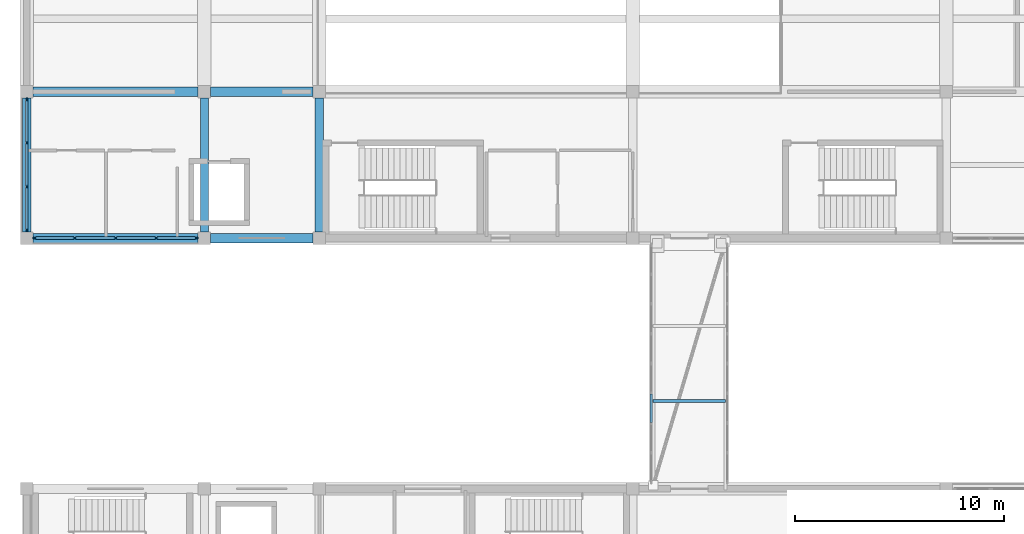
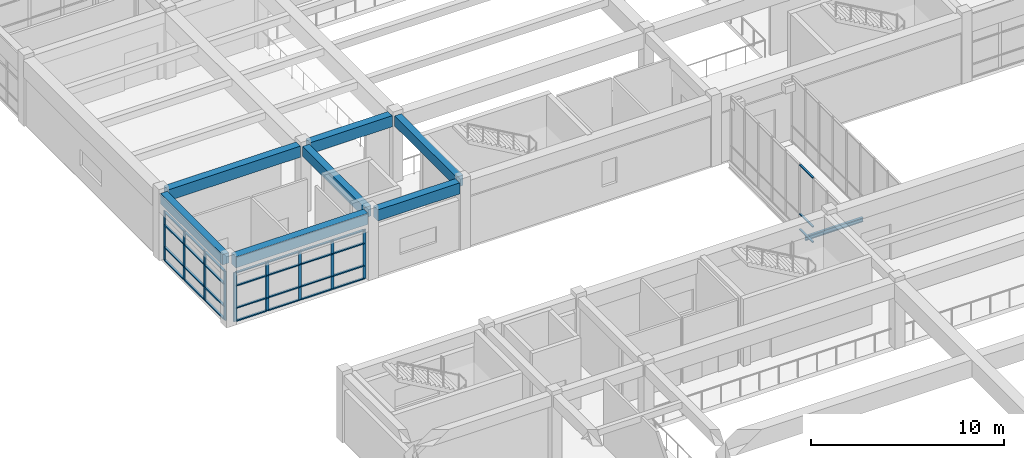
# One storey, part 11 of 72: 40 members, 8 beams, 3 elements without a shape of their own.
"""IFC4 building model written with IfcOpenShell, lengths in metres."""

from ifc_helpers import new_model, si_unit, direction, frame, origin, origin_2d, place, context, subcontext, project, spatial, rectangle, i_section, extrude, material, layer, layer_set, material_profile, profile_set, type_object, element, aggregate, save


model = new_model("IFC4")

# Units and contexts
model_context = context("Model", 3, precision=1e-05, world=origin(), true_north=direction((0.0, 1.0)))
body_context = subcontext(model_context, "Body", "Model", "MODEL_VIEW")
ifc_project = project(units=[si_unit("LENGTHUNIT", "METRE"), si_unit("AREAUNIT", "SQUARE_METRE"), si_unit("VOLUMEUNIT", "CUBIC_METRE"), si_unit("PLANEANGLEUNIT", "RADIAN"), si_unit("MASSUNIT", "GRAM", prefix="KILO")], contexts=[model_context])

# Site, building, storey
site_placement = place(None, origin())
site = spatial("IfcSite", under=ifc_project, at=site_placement, CompositionType="ELEMENT")
building_placement = place(site_placement, origin())
building = spatial("IfcBuilding", under=site, at=building_placement, Name="Naurynzar Civic Courthouse", CompositionType="ELEMENT")
storey_placement = place(building_placement, frame((0.0, 0.0, 9.89990234375)))
storey = spatial("IfcBuildingStorey", under=building, at=storey_placement, Name="L03", CompositionType="ELEMENT", Elevation=9.89990234375)

# Beams
ifc_material_1 = material(Name="Concrete C40/50", Category="concrete")
ifc_material_profile_1 = material_profile(ifc_material_1, rectangle(XDim=0.39990234375, YDim=0.64990234375, at=origin_2d()), Name="RCB 400x650")
ifc_profile_set_1 = profile_set([ifc_material_profile_1], Name="Concrete C40/50")
beam_type_1 = type_object("IfcBeamType", Name="BM-RC-400x650", PredefinedType="BEAM", material=ifc_profile_set_1)
for number, where, z_axis, x_axis, name in (
    (1, (6.0, 44.300048828125, 3.905029296875), (0.0, 1.0, 0.0), (-1.0, 0.0, 0.0), "V1 girder Y-185 L03"),
    (2, (14.5, 44.300048828125, 3.905029296875), (0.0, 1.0, 0.0), (-1.0, 0.0, 0.0), "V1 girder Y-188 L03"),
    (3, (20.0, 44.300048828125, 3.905029296875), (0.0, 1.0, 0.0), (-1.0, 0.0, 0.0), "V1 girder Y-191 L03"),
):
    element("IfcBeam", number, at=place(storey_placement, frame(where, z_axis=z_axis, x_axis=x_axis)), inside=storey, type_object=beam_type_1, Name=name, PredefinedType="BEAM", context=body_context, shape_type="SweptSolid", body=[
        extrude(rectangle(XDim=0.39990234375, YDim=0.64990234375, at=origin_2d()), origin(), (0.0, 0.0, 1.0), 6.39990234375),
    ])
ifc_material_2 = material(Name="Concrete C40/50", Category="concrete")
ifc_material_profile_2 = material_profile(ifc_material_2, rectangle(XDim=0.449951171875, YDim=0.699951171875, at=origin_2d()), Name="RCB 450x700")
ifc_profile_set_2 = profile_set([ifc_material_profile_2], Name="Concrete C40/50")
beam_type_2 = type_object("IfcBeamType", Name="BM-RC-450x700", PredefinedType="BEAM", material=ifc_profile_set_2)
beam_1_placement = place(storey_placement, frame((6.300048828125, 44.0, 3.880126953125), z_axis=(1.0, 0.0, 0.0), x_axis=(0.0, 1.0, 0.0)))
element("IfcBeam", 4, at=beam_1_placement, inside=storey, type_object=beam_type_2, Name="V1 beam X-165 L03", PredefinedType="BEAM", context=body_context, shape_type="SweptSolid", body=[
    extrude(rectangle(XDim=0.449951171875, YDim=0.699951171875, at=origin_2d()), origin(), (0.0, 0.0, 1.0), 7.89990234375),
])
beam_2_placement = place(storey_placement, frame((14.800048828125, 44.0, 3.880126953125), z_axis=(1.0, 0.0, 0.0), x_axis=(0.0, 1.0, 0.0)))
element("IfcBeam", 5, at=beam_2_placement, inside=storey, type_object=beam_type_2, Name="V1 beam X-166 L03", PredefinedType="BEAM", context=body_context, shape_type="SweptSolid", body=[
    extrude(rectangle(XDim=0.449951171875, YDim=0.699951171875, at=origin_2d()), origin(), (0.0, 0.0, 1.0), 4.89990234375),
])
beam_3_placement = place(storey_placement, frame((6.300048828125, 51.0, 3.880126953125), z_axis=(1.0, 0.0, 0.0), x_axis=(0.0, 1.0, 0.0)))
element("IfcBeam", 6, at=beam_3_placement, inside=storey, type_object=beam_type_2, Name="V1 beam X-170 L03", PredefinedType="BEAM", context=body_context, shape_type="SweptSolid", body=[
    extrude(rectangle(XDim=0.449951171875, YDim=0.699951171875, at=origin_2d()), origin(), (0.0, 0.0, 1.0), 7.89990234375),
])
beam_4_placement = place(storey_placement, frame((14.800048828125, 51.0, 3.880126953125), z_axis=(1.0, 0.0, 0.0), x_axis=(0.0, 1.0, 0.0)))
element("IfcBeam", 7, at=beam_4_placement, inside=storey, type_object=beam_type_2, Name="V1 beam X-171 L03", PredefinedType="BEAM", context=body_context, shape_type="SweptSolid", body=[
    extrude(rectangle(XDim=0.449951171875, YDim=0.699951171875, at=origin_2d()), origin(), (0.0, 0.0, 1.0), 4.89990234375),
])
ifc_material_3 = material(Name="Steel S355", Category="steel")
ifc_material_profile_3 = material_profile(ifc_material_3, i_section(OverallWidth=0.135009765625, OverallDepth=0.27001953125, WebThickness=0.006591796875, FlangeThickness=0.01025390625, FilletRadius=0.014892578125, at=origin_2d()), Name="IPE 270")
ifc_profile_set_3 = profile_set([ifc_material_profile_3], Name="Steel S355")
beam_type_3 = type_object("IfcBeamType", Name="BM-STL-IPE270", PredefinedType="BEAM", material=ifc_profile_set_3)
beam_5_placement = place(storey_placement, frame((35.969970703125, 36.2060546875, -0.375), z_axis=(1.0, 0.0, 0.0), x_axis=(0.0, 1.0, 0.0)))
element("IfcBeam", 8, at=beam_5_placement, inside=storey, type_object=beam_type_3, Name="BR-W1 deck cross-beam L03.1", PredefinedType="BEAM", context=body_context, shape_type="SweptSolid", body=[
    extrude(i_section(OverallWidth=0.135009765625, OverallDepth=0.27001953125, WebThickness=0.006591796875, FlangeThickness=0.01025390625, FilletRadius=0.014892578125, at=origin_2d()), origin(), (0.0, 0.0, 1.0), 3.4599609375),
])

# Curtain wall, members
ifc_material_4 = material(Name="Aluminium 6063-T6", Category="aluminium")
ifc_layer_1 = layer(ifc_material_4, 0.159912109375)
ifc_layer_set_1 = layer_set([ifc_layer_1], Name="CW-UNIT-1800")
curtain_wall_type_1 = type_object("IfcCurtainWallType", Name="CW-UNIT-1800", PredefinedType="NOTDEFINED", material=ifc_layer_set_1)
curtain_wall_1_placement = place(storey_placement, origin())
curtain_wall_1 = element("IfcCurtainWall", 9, at=curtain_wall_1_placement, inside=storey, type_object=curtain_wall_type_1, Name="V1 unitised curtain wall 7 L03", PredefinedType="NOTDEFINED")
ifc_material_5 = material(Name="Aluminium 6063-T6", Category="aluminium")
ifc_material_profile_4 = material_profile(ifc_material_5, rectangle(XDim=0.070068359375, YDim=0.179931640625, at=origin_2d()), Name="ALU MULLION 70x180")
ifc_profile_set_4 = profile_set([ifc_material_profile_4], Name="Aluminium 6063-T6")
member_type_1 = type_object("IfcMemberType", Name="CWM-70x180", PredefinedType="MULLION", material=ifc_profile_set_4)
member_1_placement = place(storey_placement, frame((6.0, 44.385009765625, 0.0), z_axis=(0.0, 0.0, 1.0), x_axis=(-1.0, 0.0, 0.0)))
member_1 = element("IfcMember", 10, at=member_1_placement, type_object=member_type_1, Name="CW-02 mullion 1", PredefinedType="MULLION", context=body_context, shape_type="SweptSolid", body=[
    extrude(rectangle(XDim=0.070068359375, YDim=0.179931640625, at=origin_2d()), origin(), (0.0, 0.0, 1.0), 3.110107421875),
])
member_2_placement = place(storey_placement, frame((6.0, 46.449951171875, 0.0), z_axis=(0.0, 0.0, 1.0), x_axis=(-1.0, 0.0, 0.0)))
member_2 = element("IfcMember", 11, at=member_2_placement, type_object=member_type_1, Name="CW-02 mullion 2", PredefinedType="MULLION", context=body_context, shape_type="SweptSolid", body=[
    extrude(rectangle(XDim=0.070068359375, YDim=0.179931640625, at=origin_2d()), origin(), (0.0, 0.0, 1.0), 3.110107421875),
])
member_3_placement = place(storey_placement, frame((6.0, 48.550048828125, 0.0), z_axis=(0.0, 0.0, 1.0), x_axis=(-1.0, 0.0, 0.0)))
member_3 = element("IfcMember", 12, at=member_3_placement, type_object=member_type_1, Name="CW-02 mullion 3", PredefinedType="MULLION", context=body_context, shape_type="SweptSolid", body=[
    extrude(rectangle(XDim=0.070068359375, YDim=0.179931640625, at=origin_2d()), origin(), (0.0, 0.0, 1.0), 3.110107421875),
])
member_4_placement = place(storey_placement, frame((6.0, 50.614990234375, 0.0), z_axis=(0.0, 0.0, 1.0), x_axis=(-1.0, 0.0, 0.0)))
member_4 = element("IfcMember", 13, at=member_4_placement, type_object=member_type_1, Name="CW-02 mullion 4", PredefinedType="MULLION", context=body_context, shape_type="SweptSolid", body=[
    extrude(rectangle(XDim=0.070068359375, YDim=0.179931640625, at=origin_2d()), origin(), (0.0, 0.0, 1.0), 3.110107421875),
])

curtain_wall_2_placement = place(storey_placement, origin())
curtain_wall_2 = element("IfcCurtainWall", 14, at=curtain_wall_2_placement, inside=storey, type_object=curtain_wall_type_1, Name="V1 unitised curtain wall 12 L03", PredefinedType="NOTDEFINED")
member_5_placement = place(storey_placement, frame((14.114990234375, 44.0, 0.0), z_axis=(0.0, 0.0, 1.0), x_axis=(0.0, -1.0, 0.0)))
member_5 = element("IfcMember", 15, at=member_5_placement, type_object=member_type_1, Name="CW-02 mullion 1", PredefinedType="MULLION", context=body_context, shape_type="SweptSolid", body=[
    extrude(rectangle(XDim=0.070068359375, YDim=0.179931640625, at=origin_2d()), origin(), (0.0, 0.0, 1.0), 3.110107421875),
])
member_6_placement = place(storey_placement, frame((12.199951171875, 44.0, 0.0), z_axis=(0.0, 0.0, 1.0), x_axis=(0.0, -1.0, 0.0)))
member_6 = element("IfcMember", 16, at=member_6_placement, type_object=member_type_1, Name="CW-02 mullion 2", PredefinedType="MULLION", context=body_context, shape_type="SweptSolid", body=[
    extrude(rectangle(XDim=0.070068359375, YDim=0.179931640625, at=origin_2d()), origin(), (0.0, 0.0, 1.0), 3.110107421875),
])
member_7_placement = place(storey_placement, frame((10.25, 44.0, 0.0), z_axis=(0.0, 0.0, 1.0), x_axis=(0.0, -1.0, 0.0)))
member_7 = element("IfcMember", 17, at=member_7_placement, type_object=member_type_1, Name="CW-02 mullion 3", PredefinedType="MULLION", context=body_context, shape_type="SweptSolid", body=[
    extrude(rectangle(XDim=0.070068359375, YDim=0.179931640625, at=origin_2d()), origin(), (0.0, 0.0, 1.0), 3.110107421875),
])
member_8_placement = place(storey_placement, frame((8.300048828125, 44.0, 0.0), z_axis=(0.0, 0.0, 1.0), x_axis=(0.0, -1.0, 0.0)))
member_8 = element("IfcMember", 18, at=member_8_placement, type_object=member_type_1, Name="CW-02 mullion 4", PredefinedType="MULLION", context=body_context, shape_type="SweptSolid", body=[
    extrude(rectangle(XDim=0.070068359375, YDim=0.179931640625, at=origin_2d()), origin(), (0.0, 0.0, 1.0), 3.110107421875),
])
member_9_placement = place(storey_placement, frame((6.385009765625, 44.0, 0.0), z_axis=(0.0, 0.0, 1.0), x_axis=(0.0, -1.0, 0.0)))
member_9 = element("IfcMember", 19, at=member_9_placement, type_object=member_type_1, Name="CW-02 mullion 5", PredefinedType="MULLION", context=body_context, shape_type="SweptSolid", body=[
    extrude(rectangle(XDim=0.070068359375, YDim=0.179931640625, at=origin_2d()), origin(), (0.0, 0.0, 1.0), 3.110107421875),
])

ifc_material_6 = material(Name="Aluminium 6063-T6", Category="aluminium")
ifc_layer_2 = layer(ifc_material_6, 0.14990234375)
ifc_layer_set_2 = layer_set([ifc_layer_2], Name="CW-BRIDGE-1500")
curtain_wall_type_2 = type_object("IfcCurtainWallType", Name="CW-BRIDGE-1500", PredefinedType="USERDEFINED", material=ifc_layer_set_2)
curtain_wall_3_placement = place(storey_placement, origin())
curtain_wall_3 = element("IfcCurtainWall", 20, at=curtain_wall_3_placement, inside=storey, type_object=curtain_wall_type_2, Name="BR-W1 glazed bridge screen L03.1", ObjectType="GLAZED BRIDGE SCREEN", PredefinedType="USERDEFINED")
ifc_material_7 = material(Name="Aluminium 6063-T6", Category="aluminium")
ifc_material_profile_5 = material_profile(ifc_material_7, rectangle(XDim=0.110107421875, YDim=0.06005859375, at=origin_2d()), Name="ALU TRANSOM 60x110")
ifc_profile_set_5 = profile_set([ifc_material_profile_5], Name="Aluminium 6063-T6")
member_type_2 = type_object("IfcMemberType", Name="CWT-60x110", PredefinedType="USERDEFINED", material=ifc_profile_set_5)
member_10_placement = place(storey_placement, frame((35.8798828125, 36.544921875, 0.030029296875), z_axis=(0.0, -1.0, 0.0), x_axis=(1.0, 0.0, 0.0)))
member_10 = element("IfcMember", 21, at=member_10_placement, type_object=member_type_2, Name="CW-03 transom 6.1", ObjectType="TRANSOM", PredefinedType="USERDEFINED", context=body_context, shape_type="SweptSolid", body=[
    extrude(rectangle(XDim=0.110107421875, YDim=0.06005859375, at=origin_2d()), origin(), (0.0, 0.0, 1.0), 1.364990234375),
])
member_11_placement = place(storey_placement, frame((35.8798828125, 36.544921875, 1.0), z_axis=(0.0, -1.0, 0.0), x_axis=(1.0, 0.0, 0.0)))
member_11 = element("IfcMember", 22, at=member_11_placement, type_object=member_type_2, Name="CW-03 transom 6.2", ObjectType="TRANSOM", PredefinedType="USERDEFINED", context=body_context, shape_type="SweptSolid", body=[
    extrude(rectangle(XDim=0.110107421875, YDim=0.06005859375, at=origin_2d()), origin(), (0.0, 0.0, 1.0), 1.364990234375),
])
member_12_placement = place(storey_placement, frame((35.8798828125, 36.544921875, 4.090087890625), z_axis=(0.0, -1.0, 0.0), x_axis=(1.0, 0.0, 0.0)))
member_12 = element("IfcMember", 23, at=member_12_placement, type_object=member_type_2, Name="CW-03 transom 6.3", ObjectType="TRANSOM", PredefinedType="USERDEFINED", context=body_context, shape_type="SweptSolid", body=[
    extrude(rectangle(XDim=0.110107421875, YDim=0.06005859375, at=origin_2d()), origin(), (0.0, 0.0, 1.0), 1.364990234375),
])
aggregate(curtain_wall_3, [member_10, member_11, member_12])

# Member
ifc_material_8 = material(Name="Aluminium 6063-T6", Category="aluminium")
ifc_material_profile_6 = material_profile(ifc_material_8, rectangle(XDim=0.1298828125, YDim=0.070068359375, at=origin_2d()), Name="ALU TRANSOM 70x130")
ifc_profile_set_6 = profile_set([ifc_material_profile_6], Name="Aluminium 6063-T6")
member_type_3 = type_object("IfcMemberType", Name="CWT-70x130", PredefinedType="USERDEFINED", material=ifc_profile_set_6)
member_13_placement = place(storey_placement, frame((6.0, 44.419921875, 0.03515625), z_axis=(0.0, 1.0, 0.0), x_axis=(-1.0, 0.0, 0.0)))
member_13 = element("IfcMember", 24, at=member_13_placement, type_object=member_type_3, Name="CW-02 transom 1.1", ObjectType="TRANSOM", PredefinedType="USERDEFINED", context=body_context, shape_type="SweptSolid", body=[
    extrude(rectangle(XDim=0.1298828125, YDim=0.070068359375, at=origin_2d()), origin(), (0.0, 0.0, 1.0), 1.9951171875),
])

member_14_placement = place(storey_placement, frame((6.0, 44.419921875, 0.85009765625), z_axis=(0.0, 1.0, 0.0), x_axis=(-1.0, 0.0, 0.0)))
member_14 = element("IfcMember", 25, at=member_14_placement, type_object=member_type_3, Name="CW-02 transom 1.2", ObjectType="TRANSOM", PredefinedType="USERDEFINED", context=body_context, shape_type="SweptSolid", body=[
    extrude(rectangle(XDim=0.1298828125, YDim=0.070068359375, at=origin_2d()), origin(), (0.0, 0.0, 1.0), 1.9951171875),
])

member_15_placement = place(storey_placement, frame((6.0, 44.419921875, 2.260009765625), z_axis=(0.0, 1.0, 0.0), x_axis=(-1.0, 0.0, 0.0)))
member_15 = element("IfcMember", 26, at=member_15_placement, type_object=member_type_3, Name="CW-02 transom 1.3", ObjectType="TRANSOM", PredefinedType="USERDEFINED", context=body_context, shape_type="SweptSolid", body=[
    extrude(rectangle(XDim=0.1298828125, YDim=0.070068359375, at=origin_2d()), origin(), (0.0, 0.0, 1.0), 1.9951171875),
])

member_16_placement = place(storey_placement, frame((6.0, 44.419921875, 3.0751953125), z_axis=(0.0, 1.0, 0.0), x_axis=(-1.0, 0.0, 0.0)))
member_16 = element("IfcMember", 27, at=member_16_placement, type_object=member_type_3, Name="CW-02 transom 1.4", ObjectType="TRANSOM", PredefinedType="USERDEFINED", context=body_context, shape_type="SweptSolid", body=[
    extrude(rectangle(XDim=0.1298828125, YDim=0.070068359375, at=origin_2d()), origin(), (0.0, 0.0, 1.0), 1.9951171875),
])

member_17_placement = place(storey_placement, frame((6.0, 46.485107421875, 0.03515625), z_axis=(0.0, 1.0, 0.0), x_axis=(-1.0, 0.0, 0.0)))
member_17 = element("IfcMember", 28, at=member_17_placement, type_object=member_type_3, Name="CW-02 transom 2.1", ObjectType="TRANSOM", PredefinedType="USERDEFINED", context=body_context, shape_type="SweptSolid", body=[
    extrude(rectangle(XDim=0.1298828125, YDim=0.070068359375, at=origin_2d()), origin(), (0.0, 0.0, 1.0), 2.02978515625),
])

member_18_placement = place(storey_placement, frame((6.0, 46.485107421875, 0.85009765625), z_axis=(0.0, 1.0, 0.0), x_axis=(-1.0, 0.0, 0.0)))
member_18 = element("IfcMember", 29, at=member_18_placement, type_object=member_type_3, Name="CW-02 transom 2.2", ObjectType="TRANSOM", PredefinedType="USERDEFINED", context=body_context, shape_type="SweptSolid", body=[
    extrude(rectangle(XDim=0.1298828125, YDim=0.070068359375, at=origin_2d()), origin(), (0.0, 0.0, 1.0), 2.02978515625),
])

member_19_placement = place(storey_placement, frame((6.0, 46.485107421875, 2.260009765625), z_axis=(0.0, 1.0, 0.0), x_axis=(-1.0, 0.0, 0.0)))
member_19 = element("IfcMember", 30, at=member_19_placement, type_object=member_type_3, Name="CW-02 transom 2.3", ObjectType="TRANSOM", PredefinedType="USERDEFINED", context=body_context, shape_type="SweptSolid", body=[
    extrude(rectangle(XDim=0.1298828125, YDim=0.070068359375, at=origin_2d()), origin(), (0.0, 0.0, 1.0), 2.02978515625),
])

member_20_placement = place(storey_placement, frame((6.0, 46.485107421875, 3.0751953125), z_axis=(0.0, 1.0, 0.0), x_axis=(-1.0, 0.0, 0.0)))
member_20 = element("IfcMember", 31, at=member_20_placement, type_object=member_type_3, Name="CW-02 transom 2.4", ObjectType="TRANSOM", PredefinedType="USERDEFINED", context=body_context, shape_type="SweptSolid", body=[
    extrude(rectangle(XDim=0.1298828125, YDim=0.070068359375, at=origin_2d()), origin(), (0.0, 0.0, 1.0), 2.02978515625),
])

member_21_placement = place(storey_placement, frame((6.0, 48.5849609375, 0.03515625), z_axis=(0.0, 1.0, 0.0), x_axis=(-1.0, 0.0, 0.0)))
member_21 = element("IfcMember", 32, at=member_21_placement, type_object=member_type_3, Name="CW-02 transom 3.1", ObjectType="TRANSOM", PredefinedType="USERDEFINED", context=body_context, shape_type="SweptSolid", body=[
    extrude(rectangle(XDim=0.1298828125, YDim=0.070068359375, at=origin_2d()), origin(), (0.0, 0.0, 1.0), 1.9951171875),
])

member_22_placement = place(storey_placement, frame((6.0, 48.5849609375, 0.85009765625), z_axis=(0.0, 1.0, 0.0), x_axis=(-1.0, 0.0, 0.0)))
member_22 = element("IfcMember", 33, at=member_22_placement, type_object=member_type_3, Name="CW-02 transom 3.2", ObjectType="TRANSOM", PredefinedType="USERDEFINED", context=body_context, shape_type="SweptSolid", body=[
    extrude(rectangle(XDim=0.1298828125, YDim=0.070068359375, at=origin_2d()), origin(), (0.0, 0.0, 1.0), 1.9951171875),
])

member_23_placement = place(storey_placement, frame((6.0, 48.5849609375, 2.260009765625), z_axis=(0.0, 1.0, 0.0), x_axis=(-1.0, 0.0, 0.0)))
member_23 = element("IfcMember", 34, at=member_23_placement, type_object=member_type_3, Name="CW-02 transom 3.3", ObjectType="TRANSOM", PredefinedType="USERDEFINED", context=body_context, shape_type="SweptSolid", body=[
    extrude(rectangle(XDim=0.1298828125, YDim=0.070068359375, at=origin_2d()), origin(), (0.0, 0.0, 1.0), 1.9951171875),
])

member_24_placement = place(storey_placement, frame((6.0, 48.5849609375, 3.0751953125), z_axis=(0.0, 1.0, 0.0), x_axis=(-1.0, 0.0, 0.0)))
member_24 = element("IfcMember", 35, at=member_24_placement, type_object=member_type_3, Name="CW-02 transom 3.4", ObjectType="TRANSOM", PredefinedType="USERDEFINED", context=body_context, shape_type="SweptSolid", body=[
    extrude(rectangle(XDim=0.1298828125, YDim=0.070068359375, at=origin_2d()), origin(), (0.0, 0.0, 1.0), 1.9951171875),
])

aggregate(curtain_wall_1, [member_1, member_2, member_3, member_4, member_13, member_14, member_15, member_16, member_17, member_18, member_19, member_20, member_21, member_22, member_23, member_24])

member_25_placement = place(storey_placement, frame((14.080078125, 44.0, 0.03515625), z_axis=(-1.0, 0.0, 0.0), x_axis=(0.0, -1.0, 0.0)))
member_25 = element("IfcMember", 36, at=member_25_placement, type_object=member_type_3, Name="CW-02 transom 1.1", ObjectType="TRANSOM", PredefinedType="USERDEFINED", context=body_context, shape_type="SweptSolid", body=[
    extrude(rectangle(XDim=0.1298828125, YDim=0.070068359375, at=origin_2d()), origin(), (0.0, 0.0, 1.0), 1.844970703125),
])

member_26_placement = place(storey_placement, frame((14.080078125, 44.0, 0.85009765625), z_axis=(-1.0, 0.0, 0.0), x_axis=(0.0, -1.0, 0.0)))
member_26 = element("IfcMember", 37, at=member_26_placement, type_object=member_type_3, Name="CW-02 transom 1.2", ObjectType="TRANSOM", PredefinedType="USERDEFINED", context=body_context, shape_type="SweptSolid", body=[
    extrude(rectangle(XDim=0.1298828125, YDim=0.070068359375, at=origin_2d()), origin(), (0.0, 0.0, 1.0), 1.844970703125),
])

member_27_placement = place(storey_placement, frame((14.080078125, 44.0, 2.260009765625), z_axis=(-1.0, 0.0, 0.0), x_axis=(0.0, -1.0, 0.0)))
member_27 = element("IfcMember", 38, at=member_27_placement, type_object=member_type_3, Name="CW-02 transom 1.3", ObjectType="TRANSOM", PredefinedType="USERDEFINED", context=body_context, shape_type="SweptSolid", body=[
    extrude(rectangle(XDim=0.1298828125, YDim=0.070068359375, at=origin_2d()), origin(), (0.0, 0.0, 1.0), 1.844970703125),
])

member_28_placement = place(storey_placement, frame((14.080078125, 44.0, 3.0751953125), z_axis=(-1.0, 0.0, 0.0), x_axis=(0.0, -1.0, 0.0)))
member_28 = element("IfcMember", 39, at=member_28_placement, type_object=member_type_3, Name="CW-02 transom 1.4", ObjectType="TRANSOM", PredefinedType="USERDEFINED", context=body_context, shape_type="SweptSolid", body=[
    extrude(rectangle(XDim=0.1298828125, YDim=0.070068359375, at=origin_2d()), origin(), (0.0, 0.0, 1.0), 1.844970703125),
])

member_29_placement = place(storey_placement, frame((12.1650390625, 44.0, 0.03515625), z_axis=(-1.0, 0.0, 0.0), x_axis=(0.0, -1.0, 0.0)))
member_29 = element("IfcMember", 40, at=member_29_placement, type_object=member_type_3, Name="CW-02 transom 2.1", ObjectType="TRANSOM", PredefinedType="USERDEFINED", context=body_context, shape_type="SweptSolid", body=[
    extrude(rectangle(XDim=0.1298828125, YDim=0.070068359375, at=origin_2d()), origin(), (0.0, 0.0, 1.0), 1.880126953125),
])

member_30_placement = place(storey_placement, frame((12.1650390625, 44.0, 0.85009765625), z_axis=(-1.0, 0.0, 0.0), x_axis=(0.0, -1.0, 0.0)))
member_30 = element("IfcMember", 41, at=member_30_placement, type_object=member_type_3, Name="CW-02 transom 2.2", ObjectType="TRANSOM", PredefinedType="USERDEFINED", context=body_context, shape_type="SweptSolid", body=[
    extrude(rectangle(XDim=0.1298828125, YDim=0.070068359375, at=origin_2d()), origin(), (0.0, 0.0, 1.0), 1.880126953125),
])

member_31_placement = place(storey_placement, frame((12.1650390625, 44.0, 2.260009765625), z_axis=(-1.0, 0.0, 0.0), x_axis=(0.0, -1.0, 0.0)))
member_31 = element("IfcMember", 42, at=member_31_placement, type_object=member_type_3, Name="CW-02 transom 2.3", ObjectType="TRANSOM", PredefinedType="USERDEFINED", context=body_context, shape_type="SweptSolid", body=[
    extrude(rectangle(XDim=0.1298828125, YDim=0.070068359375, at=origin_2d()), origin(), (0.0, 0.0, 1.0), 1.880126953125),
])

member_32_placement = place(storey_placement, frame((12.1650390625, 44.0, 3.0751953125), z_axis=(-1.0, 0.0, 0.0), x_axis=(0.0, -1.0, 0.0)))
member_32 = element("IfcMember", 43, at=member_32_placement, type_object=member_type_3, Name="CW-02 transom 2.4", ObjectType="TRANSOM", PredefinedType="USERDEFINED", context=body_context, shape_type="SweptSolid", body=[
    extrude(rectangle(XDim=0.1298828125, YDim=0.070068359375, at=origin_2d()), origin(), (0.0, 0.0, 1.0), 1.880126953125),
])

member_33_placement = place(storey_placement, frame((10.215087890625, 44.0, 0.03515625), z_axis=(-1.0, 0.0, 0.0), x_axis=(0.0, -1.0, 0.0)))
member_33 = element("IfcMember", 44, at=member_33_placement, type_object=member_type_3, Name="CW-02 transom 3.1", ObjectType="TRANSOM", PredefinedType="USERDEFINED", context=body_context, shape_type="SweptSolid", body=[
    extrude(rectangle(XDim=0.1298828125, YDim=0.070068359375, at=origin_2d()), origin(), (0.0, 0.0, 1.0), 1.880126953125),
])

member_34_placement = place(storey_placement, frame((10.215087890625, 44.0, 0.85009765625), z_axis=(-1.0, 0.0, 0.0), x_axis=(0.0, -1.0, 0.0)))
member_34 = element("IfcMember", 45, at=member_34_placement, type_object=member_type_3, Name="CW-02 transom 3.2", ObjectType="TRANSOM", PredefinedType="USERDEFINED", context=body_context, shape_type="SweptSolid", body=[
    extrude(rectangle(XDim=0.1298828125, YDim=0.070068359375, at=origin_2d()), origin(), (0.0, 0.0, 1.0), 1.880126953125),
])

member_35_placement = place(storey_placement, frame((10.215087890625, 44.0, 2.260009765625), z_axis=(-1.0, 0.0, 0.0), x_axis=(0.0, -1.0, 0.0)))
member_35 = element("IfcMember", 46, at=member_35_placement, type_object=member_type_3, Name="CW-02 transom 3.3", ObjectType="TRANSOM", PredefinedType="USERDEFINED", context=body_context, shape_type="SweptSolid", body=[
    extrude(rectangle(XDim=0.1298828125, YDim=0.070068359375, at=origin_2d()), origin(), (0.0, 0.0, 1.0), 1.880126953125),
])

member_36_placement = place(storey_placement, frame((10.215087890625, 44.0, 3.0751953125), z_axis=(-1.0, 0.0, 0.0), x_axis=(0.0, -1.0, 0.0)))
member_36 = element("IfcMember", 47, at=member_36_placement, type_object=member_type_3, Name="CW-02 transom 3.4", ObjectType="TRANSOM", PredefinedType="USERDEFINED", context=body_context, shape_type="SweptSolid", body=[
    extrude(rectangle(XDim=0.1298828125, YDim=0.070068359375, at=origin_2d()), origin(), (0.0, 0.0, 1.0), 1.880126953125),
])

member_37_placement = place(storey_placement, frame((8.264892578125, 44.0, 0.03515625), z_axis=(-1.0, 0.0, 0.0), x_axis=(0.0, -1.0, 0.0)))
member_37 = element("IfcMember", 48, at=member_37_placement, type_object=member_type_3, Name="CW-02 transom 4.1", ObjectType="TRANSOM", PredefinedType="USERDEFINED", context=body_context, shape_type="SweptSolid", body=[
    extrude(rectangle(XDim=0.1298828125, YDim=0.070068359375, at=origin_2d()), origin(), (0.0, 0.0, 1.0), 1.844970703125),
])

member_38_placement = place(storey_placement, frame((8.264892578125, 44.0, 0.85009765625), z_axis=(-1.0, 0.0, 0.0), x_axis=(0.0, -1.0, 0.0)))
member_38 = element("IfcMember", 49, at=member_38_placement, type_object=member_type_3, Name="CW-02 transom 4.2", ObjectType="TRANSOM", PredefinedType="USERDEFINED", context=body_context, shape_type="SweptSolid", body=[
    extrude(rectangle(XDim=0.1298828125, YDim=0.070068359375, at=origin_2d()), origin(), (0.0, 0.0, 1.0), 1.844970703125),
])

member_39_placement = place(storey_placement, frame((8.264892578125, 44.0, 2.260009765625), z_axis=(-1.0, 0.0, 0.0), x_axis=(0.0, -1.0, 0.0)))
member_39 = element("IfcMember", 50, at=member_39_placement, type_object=member_type_3, Name="CW-02 transom 4.3", ObjectType="TRANSOM", PredefinedType="USERDEFINED", context=body_context, shape_type="SweptSolid", body=[
    extrude(rectangle(XDim=0.1298828125, YDim=0.070068359375, at=origin_2d()), origin(), (0.0, 0.0, 1.0), 1.844970703125),
])

member_40_placement = place(storey_placement, frame((8.264892578125, 44.0, 3.0751953125), z_axis=(-1.0, 0.0, 0.0), x_axis=(0.0, -1.0, 0.0)))
member_40 = element("IfcMember", 51, at=member_40_placement, type_object=member_type_3, Name="CW-02 transom 4.4", ObjectType="TRANSOM", PredefinedType="USERDEFINED", context=body_context, shape_type="SweptSolid", body=[
    extrude(rectangle(XDim=0.1298828125, YDim=0.070068359375, at=origin_2d()), origin(), (0.0, 0.0, 1.0), 1.844970703125),
])

aggregate(curtain_wall_2, [member_5, member_6, member_7, member_8, member_9, member_25, member_26, member_27, member_28, member_29, member_30, member_31, member_32, member_33, member_34, member_35, member_36, member_37, member_38, member_39, member_40])

save(model, "model.ifc")
